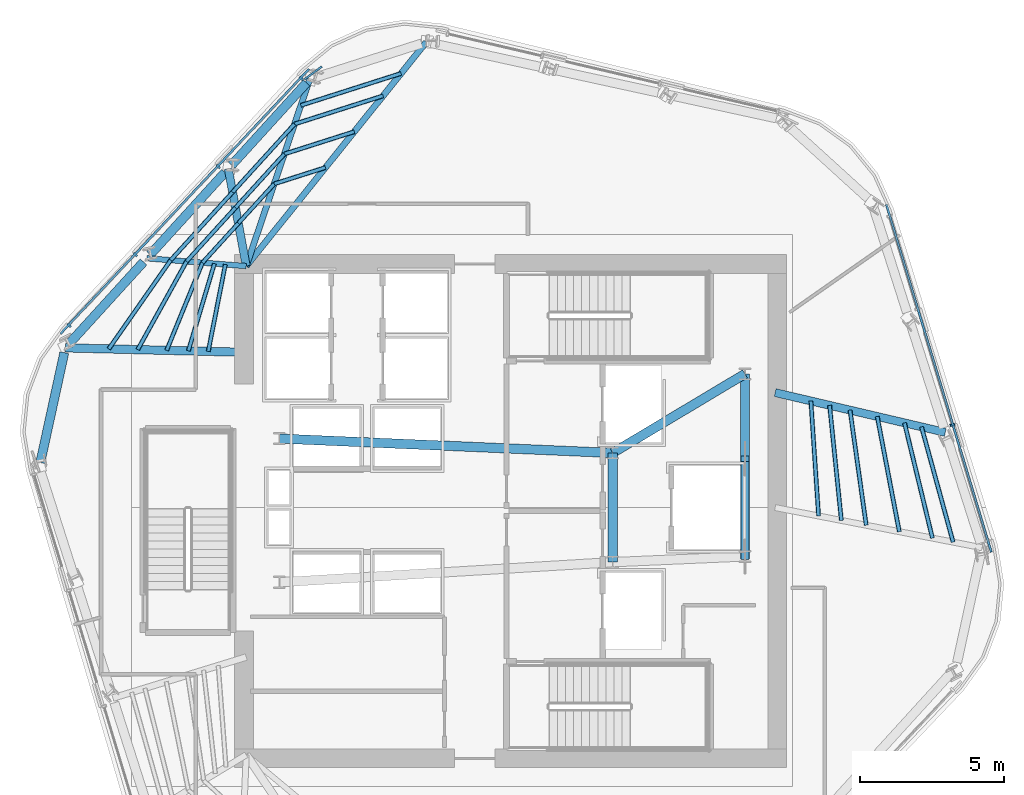
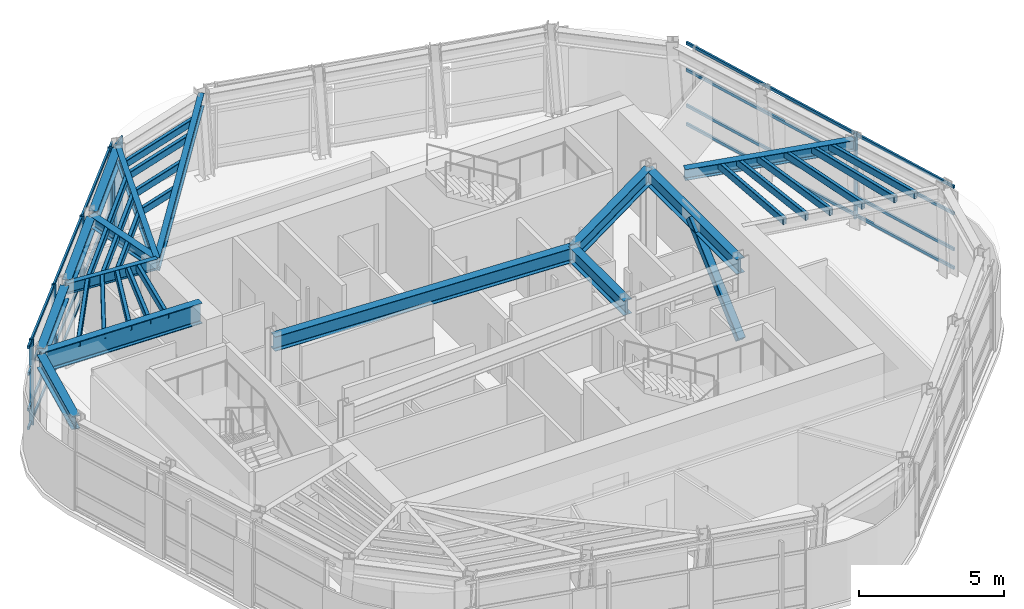
# One storey, part 4 of 13: 36 members, 14 beams, 2 elements without a shape of their own.
"""IFC4 building model written with IfcOpenShell, lengths in metres."""

from ifc_helpers import new_model, si_unit, direction, frame, origin, origin_2d, place, context, subcontext, project, spatial, rectangle, hollow_rectangle, i_section, extrude, material, layer, layer_set, material_profile, profile_set, type_object, element, aggregate, save


model = new_model("IFC4")

# Units and contexts
model_context = context("Model", 3, precision=1e-05, world=origin(), true_north=direction((0.0, 1.0)))
body_context = subcontext(model_context, "Body", "Model", "MODEL_VIEW")
ifc_project = project(units=[si_unit("LENGTHUNIT", "METRE"), si_unit("AREAUNIT", "SQUARE_METRE"), si_unit("VOLUMEUNIT", "CUBIC_METRE"), si_unit("PLANEANGLEUNIT", "RADIAN"), si_unit("MASSUNIT", "GRAM", prefix="KILO")], contexts=[model_context])

# Site, building, storey
site_placement = place(None, origin())
site = spatial("IfcSite", under=ifc_project, at=site_placement, CompositionType="ELEMENT")
building_placement = place(site_placement, origin())
building = spatial("IfcBuilding", under=site, at=building_placement, Name="Valkerne Bourse Tower", CompositionType="ELEMENT")
storey_placement = place(building_placement, frame((0.0, 0.0, 224.60009765625)))
storey = spatial("IfcBuildingStorey", under=building, at=storey_placement, Name="L57", CompositionType="ELEMENT", Elevation=224.60009765625)

# Beams
ifc_material_1 = material(Name="Steel ASTM A992", Category="steel")
ifc_material_profile_1 = material_profile(ifc_material_1, i_section(OverallWidth=0.1904296875, OverallDepth=0.457275390625, WebThickness=0.009033203125, FlangeThickness=0.014404296875, FilletRadius=0.01513671875, at=origin_2d()), Name="W18X50")
ifc_profile_set_1 = profile_set([ifc_material_profile_1], Name="Steel ASTM A992")
beam_type_1 = type_object("IfcBeamType", Name="BM-W18X50", PredefinedType="JOIST", material=ifc_profile_set_1)
beam_1_placement = place(storey_placement, frame((34.14111328125, 35.67138671875, 3.371337890625), z_axis=(0.996934074267, -0.078246096173, 0.0), x_axis=(0.078246096173, 0.996934074267, 0.0)))
element("IfcBeam", 1, at=beam_1_placement, inside=storey, type_object=beam_type_1, Name="L57 Radial Composite Floor Beam 06", PredefinedType="JOIST", context=body_context, shape_type="SweptSolid", body=[
    extrude(i_section(OverallWidth=0.1904296875, OverallDepth=0.457275390625, WebThickness=0.009033203125, FlangeThickness=0.014404296875, FilletRadius=0.01513671875, at=origin_2d()), origin(), (0.0, 0.0, 1.0), 3.4697265625),
])
ifc_material_profile_2 = material_profile(ifc_material_1, i_section(OverallWidth=0.279296875, OverallDepth=0.46240234375, WebThickness=0.0107421875, FlangeThickness=0.017333984375, FilletRadius=0.017822265625, at=origin_2d()), Name="W18X76")
ifc_profile_set_2 = profile_set([ifc_material_profile_2], Name="Steel ASTM A992")
beam_type_2 = type_object("IfcBeamType", Name="BM-W18X76", PredefinedType="BEAM", material=ifc_profile_set_2)
beam_2_placement = place(storey_placement, frame((36.975830078125, 38.78662109375, 3.36865234375), z_axis=(0.181274300198, -0.983432574246, 0.0), x_axis=(0.983432574246, 0.181274300198, 0.0)))
element("IfcBeam", 2, at=beam_2_placement, inside=storey, type_object=beam_type_2, Name="L57 Radial Composite Floor Beam 05", PredefinedType="BEAM", context=body_context, shape_type="SweptSolid", body=[
    extrude(i_section(OverallWidth=0.279296875, OverallDepth=0.46240234375, WebThickness=0.0107421875, FlangeThickness=0.017333984375, FilletRadius=0.017822265625, at=origin_2d()), origin(), (0.0, 0.0, 1.0), 3.44384765625),
])
beam_3_placement = place(storey_placement, frame((61.919677734375, 29.614501953125, 3.36865234375), z_axis=(-0.973686662116, 0.227890947643, 0.0), x_axis=(-0.227890947643, -0.973686662116, 0.0)))
element("IfcBeam", 3, at=beam_3_placement, inside=storey, type_object=beam_type_2, Name="L57 Radial Composite Floor Beam 21", PredefinedType="BEAM", context=body_context, shape_type="SweptSolid", body=[
    extrude(i_section(OverallWidth=0.279296875, OverallDepth=0.46240234375, WebThickness=0.0107421875, FlangeThickness=0.017333984375, FilletRadius=0.017822265625, at=origin_2d()), origin(), (0.0, 0.0, 1.0), 6.07958984375),
])
ifc_material_profile_3 = material_profile(ifc_material_1, i_section(OverallWidth=0.31494140625, OverallDepth=0.5537109375, WebThickness=0.0166015625, FlangeThickness=0.026123046875, FilletRadius=0.020263671875, at=origin_2d()), Name="W21X132")
ifc_profile_set_3 = profile_set([ifc_material_profile_3], Name="Steel ASTM A992")
beam_type_3 = type_object("IfcBeamType", Name="BM-W21X132", PredefinedType="BEAM", material=ifc_profile_set_3)
for number, where, z_axis, x_axis, name in (
    (4, (39.6962890625, 41.776123046875, 3.322998046875), (-0.673030492682, -0.739614734791, 0.0), (0.739614734791, -0.673030492682, 0.0), "L57 Hexagonal Spandrel Ring Beam 04"),
    (5, (36.861572265625, 38.660888671875, 3.322998046875), (-0.673030492682, -0.739614734791, 0.0), (0.739614734791, -0.673030492682, 0.0), "L57 Hexagonal Spandrel Ring Beam 05"),
    (6, (34.02685546875, 35.545654296875, 3.322998046875), (-0.672999106682, -0.739643294031, 0.0), (0.739643294031, -0.672999106682, 0.0), "L57 Hexagonal Spandrel Ring Beam 06"),
):
    element("IfcBeam", number, at=place(storey_placement, frame(where, z_axis=z_axis, x_axis=x_axis)), inside=storey, type_object=beam_type_3, Name=name, PredefinedType="BEAM", context=body_context, shape_type="SweptSolid", body=[
        extrude(i_section(OverallWidth=0.31494140625, OverallDepth=0.5537109375, WebThickness=0.0166015625, FlangeThickness=0.026123046875, FilletRadius=0.020263671875, at=origin_2d()), origin(), (0.0, 0.0, 1.0), 3.8720703125),
    ])
beam_4_placement = place(storey_placement, frame((31.270263671875, 32.389892578125, 3.322998046875), z_axis=(-0.213053448921, -0.97704054568, 0.0), x_axis=(0.97704054568, -0.213053448921, 0.0)))
element("IfcBeam", 7, at=beam_4_placement, inside=storey, type_object=beam_type_3, Name="L57 Hexagonal Spandrel Ring Beam 07", PredefinedType="BEAM", context=body_context, shape_type="SweptSolid", body=[
    extrude(i_section(OverallWidth=0.31494140625, OverallDepth=0.5537109375, WebThickness=0.0166015625, FlangeThickness=0.026123046875, FilletRadius=0.020263671875, at=origin_2d()), origin(), (0.0, 0.0, 1.0), 3.91552734375),
])
ifc_material_profile_4 = material_profile(ifc_material_1, i_section(OverallWidth=0.209228515625, OverallDepth=0.533447265625, WebThickness=0.01025390625, FlangeThickness=0.015625, FilletRadius=0.017822265625, at=origin_2d()), Name="W21X62")
ifc_profile_set_4 = profile_set([ifc_material_profile_4], Name="Steel ASTM A992")
beam_type_4 = type_object("IfcBeamType", Name="BM-W21X62", PredefinedType="JOIST", material=ifc_profile_set_4)
beam_5_placement = place(storey_placement, frame((39.810546875, 41.90185546875, 3.333251953125), z_axis=(-0.321874690354, -0.946782278937, 0.0), x_axis=(0.946782278937, -0.321874690354, 0.0)))
element("IfcBeam", 8, at=beam_5_placement, inside=storey, type_object=beam_type_4, Name="L57 Radial Composite Floor Beam 04", PredefinedType="JOIST", context=body_context, shape_type="SweptSolid", body=[
    extrude(i_section(OverallWidth=0.209228515625, OverallDepth=0.533447265625, WebThickness=0.01025390625, FlangeThickness=0.015625, FilletRadius=0.017822265625, at=origin_2d()), origin(), (0.0, 0.0, 1.0), 6.867431640625),
])
ifc_material_profile_5 = material_profile(ifc_material_1, i_section(OverallWidth=0.2138671875, OverallDepth=0.548583984375, WebThickness=0.0146484375, FlangeThickness=0.023681640625, FilletRadius=0.017822265625, at=origin_2d()), Name="W21X93")
ifc_profile_set_5 = profile_set([ifc_material_profile_5], Name="Steel ASTM A992")
beam_type_5 = type_object("IfcBeamType", Name="BM-W21X93", PredefinedType="BEAM", material=ifc_profile_set_5)
beam_6_placement = place(storey_placement, frame((43.86474609375, 43.19580078125, 3.32568359375), z_axis=(-0.626396405872, -0.779504677799, 0.0), x_axis=(0.779504677799, -0.626396405872, 0.0)))
element("IfcBeam", 9, at=beam_6_placement, inside=storey, type_object=beam_type_5, Name="L57 Radial Composite Floor Beam 03", PredefinedType="BEAM", context=body_context, shape_type="SweptSolid", body=[
    extrude(i_section(OverallWidth=0.2138671875, OverallDepth=0.548583984375, WebThickness=0.0146484375, FlangeThickness=0.023681640625, FilletRadius=0.017822265625, at=origin_2d()), origin(), (0.0, 0.0, 1.0), 10.0009765625),
])
ifc_material_profile_6 = material_profile(ifc_material_1, i_section(OverallWidth=0.3251953125, OverallDepth=0.612060546875, WebThickness=0.0126953125, FlangeThickness=0.01904296875, FilletRadius=0.020263671875, at=origin_2d()), Name="W24X104")
ifc_profile_set_6 = profile_set([ifc_material_profile_6], Name="Steel ASTM A992")
beam_type_6 = type_object("IfcBeamType", Name="BM-W24X104", PredefinedType="BEAM", material=ifc_profile_set_6)
beam_7_placement = place(storey_placement, frame((50.35009765625, 25.10009765625, 3.293701171875), z_axis=(0.0, 1.0, 0.0), x_axis=(-1.0, 0.0, 0.0)))
element("IfcBeam", 10, at=beam_7_placement, inside=storey, type_object=beam_type_6, Name="L57 Core Frame Girder CG-CE", PredefinedType="BEAM", context=body_context, shape_type="SweptSolid", body=[
    extrude(i_section(OverallWidth=0.3251953125, OverallDepth=0.612060546875, WebThickness=0.0126953125, FlangeThickness=0.01904296875, FilletRadius=0.020263671875, at=origin_2d()), origin(), (0.0, 0.0, 1.0), 3.7998046875),
])
beam_8_placement = place(storey_placement, frame((50.35009765625, 28.89990234375, 3.293701171875), z_axis=(0.858307823492, 0.513135148019, 0.0), x_axis=(-0.513135148019, 0.858307823492, 0.0)))
element("IfcBeam", 11, at=beam_8_placement, inside=storey, type_object=beam_type_6, Name="L57 Core Frame Girder CG-NE", PredefinedType="BEAM", context=body_context, shape_type="SweptSolid", body=[
    extrude(i_section(OverallWidth=0.3251953125, OverallDepth=0.612060546875, WebThickness=0.0126953125, FlangeThickness=0.01904296875, FilletRadius=0.020263671875, at=origin_2d()), origin(), (0.0, 0.0, 1.0), 5.359130859375),
])
beam_9_placement = place(storey_placement, frame((54.949951171875, 25.300048828125, 3.293701171875), z_axis=(0.0, 1.0, 0.0), x_axis=(-1.0, 0.0, 0.0)))
element("IfcBeam", 12, at=beam_9_placement, inside=storey, type_object=beam_type_6, Name="L57 Core Frame Girder CG-EE", PredefinedType="BEAM", context=body_context, shape_type="SweptSolid", body=[
    extrude(i_section(OverallWidth=0.3251953125, OverallDepth=0.612060546875, WebThickness=0.0126953125, FlangeThickness=0.01904296875, FilletRadius=0.020263671875, at=origin_2d()), origin(), (0.0, 0.0, 1.0), 6.349853515625),
])
beam_10_placement = place(storey_placement, frame((38.75, 29.39990234375, 3.293701171875), z_axis=(0.999072354402, -0.043063101019, 0.0), x_axis=(0.043063101019, 0.999072354402, 0.0)))
element("IfcBeam", 13, at=beam_10_placement, inside=storey, type_object=beam_type_6, Name="L57 Core Frame Girder CG-NW", PredefinedType="BEAM", context=body_context, shape_type="SweptSolid", body=[
    extrude(i_section(OverallWidth=0.3251953125, OverallDepth=0.612060546875, WebThickness=0.0126953125, FlangeThickness=0.01904296875, FilletRadius=0.020263671875, at=origin_2d()), origin(), (0.0, 0.0, 1.0), 11.61083984375),
])
ifc_material_profile_7 = material_profile(ifc_material_1, i_section(OverallWidth=0.2919921875, OverallDepth=0.8583984375, WebThickness=0.01708984375, FlangeThickness=0.031005859375, FilletRadius=0.025390625, at=origin_2d()), Name="W33X169")
ifc_profile_set_7 = profile_set([ifc_material_profile_7], Name="Steel ASTM A992")
beam_type_7 = type_object("IfcBeamType", Name="BM-W33X169", PredefinedType="BEAM", material=ifc_profile_set_7)
beam_11_placement = place(storey_placement, frame((31.306396484375, 32.555908203125, 3.170654296875), z_axis=(0.999692928498, -0.024780006257, 0.0), x_axis=(0.024780006257, 0.999692928498, 0.0)))
element("IfcBeam", 14, at=beam_11_placement, inside=storey, type_object=beam_type_7, Name="L57 Radial Composite Floor Beam 07", PredefinedType="BEAM", context=body_context, shape_type="SweptSolid", body=[
    extrude(i_section(OverallWidth=0.2919921875, OverallDepth=0.8583984375, WebThickness=0.01708984375, FlangeThickness=0.031005859375, FilletRadius=0.025390625, at=origin_2d()), origin(), (0.0, 0.0, 1.0), 6.295654296875),
])

# Curtain wall, members
ifc_material_2 = material(Name="Aluminium AA 6063-T6", Category="aluminium")
ifc_layer = layer(ifc_material_2, 0.239990234375)
ifc_layer_set = layer_set([ifc_layer], Name="Aluminium AA 6063-T6")
curtain_wall_type = type_object("IfcCurtainWallType", Name="CW-04", PredefinedType="NOTDEFINED", material=ifc_layer_set)
curtain_wall_1_placement = place(storey_placement, origin())
curtain_wall_1 = element("IfcCurtainWall", 15, at=curtain_wall_1_placement, inside=storey, type_object=curtain_wall_type, Name="L57 Hexagonal Stick Curtain Wall Face 2", PredefinedType="NOTDEFINED")
ifc_material_profile_8 = material_profile(ifc_material_2, rectangle(XDim=0.074951171875, YDim=0.159912109375, at=origin_2d()), Name="CWM-75X160")
ifc_profile_set_8 = profile_set([ifc_material_profile_8], Name="Aluminium AA 6063-T6")
member_type_1 = type_object("IfcMemberType", Name="CW-MUL-160X75", PredefinedType="MULLION", material=ifc_profile_set_8)
member_1_placement = place(storey_placement, frame((39.51025390625, 41.9365234375, 0.0), z_axis=(0.0, 0.0, 1.0), x_axis=(-0.684560035051, -0.728956485952, 0.0)))
member_1 = element("IfcMember", 16, at=member_1_placement, type_object=member_type_1, Name="CW-L57-F2 Jamb Mullion 00A", PredefinedType="MULLION", context=body_context, shape_type="SweptSolid", body=[
    extrude(rectangle(XDim=0.074951171875, YDim=0.159912109375, at=origin_2d()), origin(), (0.0, 0.0, 1.0), 3.599853515625),
])
member_2_placement = place(storey_placement, frame((36.626708984375, 38.8662109375, 0.0), z_axis=(0.0, 0.0, 1.0), x_axis=(-0.684535571717, -0.728979458595, 0.0)))
member_2 = element("IfcMember", 17, at=member_2_placement, type_object=member_type_1, Name="CW-L57-F2 Jamb Mullion 01A", PredefinedType="MULLION", context=body_context, shape_type="SweptSolid", body=[
    extrude(rectangle(XDim=0.074951171875, YDim=0.159912109375, at=origin_2d()), origin(), (0.0, 0.0, 1.0), 3.599853515625),
])
member_3_placement = place(storey_placement, frame((33.743408203125, 35.795654296875, 0.0), z_axis=(0.0, 0.0, 1.0), x_axis=(-0.684547419077, -0.728968333355, 0.0)))
member_3 = element("IfcMember", 18, at=member_3_placement, type_object=member_type_1, Name="CW-L57-F2 Jamb Mullion 02A", PredefinedType="MULLION", context=body_context, shape_type="SweptSolid", body=[
    extrude(rectangle(XDim=0.074951171875, YDim=0.159912109375, at=origin_2d()), origin(), (0.0, 0.0, 1.0), 3.599853515625),
])
member_4_placement = place(storey_placement, frame((31.435302734375, 33.33740234375, 0.0), z_axis=(0.0, 0.0, 1.0), x_axis=(-0.684547419077, -0.728968333355, 0.0)))
member_4 = element("IfcMember", 19, at=member_4_placement, type_object=member_type_1, Name="CW-L57-F2 Jamb Mullion 02B", PredefinedType="MULLION", context=body_context, shape_type="SweptSolid", body=[
    extrude(rectangle(XDim=0.074951171875, YDim=0.159912109375, at=origin_2d()), origin(), (0.0, 0.0, 1.0), 3.599853515625),
])

# Curtain wall, member
curtain_wall_2_placement = place(storey_placement, origin())
curtain_wall_2 = element("IfcCurtainWall", 20, at=curtain_wall_2_placement, inside=storey, type_object=curtain_wall_type, Name="L57 Hexagonal Stick Curtain Wall Face 6", PredefinedType="NOTDEFINED")
member_5_placement = place(storey_placement, frame((62.162841796875, 29.877197265625, 0.0), z_axis=(0.0, 0.0, 1.0), x_axis=(-0.289033329904, 0.957319034703, 0.0)))
member_5 = element("IfcMember", 21, at=member_5_placement, type_object=member_type_1, Name="CW-L57-F6 Jamb Mullion 01A", PredefinedType="MULLION", context=body_context, shape_type="SweptSolid", body=[
    extrude(rectangle(XDim=0.074951171875, YDim=0.159912109375, at=origin_2d()), origin(), (0.0, 0.0, 1.0), 3.599853515625),
])

# Member
ifc_material_profile_9 = material_profile(ifc_material_2, rectangle(XDim=0.074951171875, YDim=0.1201171875, at=origin_2d()), Name="CWT-75X120")
ifc_profile_set_9 = profile_set([ifc_material_profile_9], Name="Aluminium AA 6063-T6")
member_type_2 = type_object("IfcMemberType", Name="CW-TRN-120X75", PredefinedType="USERDEFINED", material=ifc_profile_set_9)
member_6_placement = place(storey_placement, frame((39.783203125, 42.25634765625, 0.119873046875), z_axis=(-0.684538601251, -0.728976613752, 0.0), x_axis=(0.728976613752, -0.684538601251, 0.0)))
member_6 = element("IfcMember", 22, at=member_6_placement, type_object=member_type_2, Name="CW-L57-F2 Continuous Face Transom 1", ObjectType="TRANSOM", PredefinedType="USERDEFINED", context=body_context, shape_type="SweptSolid", body=[
    extrude(rectangle(XDim=0.074951171875, YDim=0.1201171875, at=origin_2d()), origin(), (0.0, 0.0, 1.0), 12.635986328125),
])

member_7_placement = place(storey_placement, frame((39.783203125, 42.25634765625, 0.89990234375), z_axis=(-0.684538601251, -0.728976613752, 0.0), x_axis=(0.728976613752, -0.684538601251, 0.0)))
member_7 = element("IfcMember", 23, at=member_7_placement, type_object=member_type_2, Name="CW-L57-F2 Continuous Face Transom 2", ObjectType="TRANSOM", PredefinedType="USERDEFINED", context=body_context, shape_type="SweptSolid", body=[
    extrude(rectangle(XDim=0.074951171875, YDim=0.1201171875, at=origin_2d()), origin(), (0.0, 0.0, 1.0), 12.635986328125),
])

member_8_placement = place(storey_placement, frame((39.783203125, 42.25634765625, 2.39990234375), z_axis=(-0.684538601251, -0.728976613752, 0.0), x_axis=(0.728976613752, -0.684538601251, 0.0)))
member_8 = element("IfcMember", 24, at=member_8_placement, type_object=member_type_2, Name="CW-L57-F2 Continuous Face Transom 3", ObjectType="TRANSOM", PredefinedType="USERDEFINED", context=body_context, shape_type="SweptSolid", body=[
    extrude(rectangle(XDim=0.074951171875, YDim=0.1201171875, at=origin_2d()), origin(), (0.0, 0.0, 1.0), 12.635986328125),
])

member_9_placement = place(storey_placement, frame((39.783203125, 42.25634765625, 3.52001953125), z_axis=(-0.684538601251, -0.728976613752, 0.0), x_axis=(0.728976613752, -0.684538601251, 0.0)))
member_9 = element("IfcMember", 25, at=member_9_placement, type_object=member_type_2, Name="CW-L57-F2 Continuous Face Transom 4", ObjectType="TRANSOM", PredefinedType="USERDEFINED", context=body_context, shape_type="SweptSolid", body=[
    extrude(rectangle(XDim=0.074951171875, YDim=0.1201171875, at=origin_2d()), origin(), (0.0, 0.0, 1.0), 12.635986328125),
])

aggregate(curtain_wall_1, [member_6, member_7, member_8, member_9, member_1, member_2, member_3, member_4])

member_10_placement = place(storey_placement, frame((63.520751953125, 25.44873046875, 0.119873046875), z_axis=(-0.289024303807, 0.957321759812, 0.0), x_axis=(-0.957321759812, -0.289024303807, 0.0)))
member_10 = element("IfcMember", 26, at=member_10_placement, type_object=member_type_2, Name="CW-L57-F6 Continuous Face Transom 1", ObjectType="TRANSOM", PredefinedType="USERDEFINED", context=body_context, shape_type="SweptSolid", body=[
    extrude(rectangle(XDim=0.074951171875, YDim=0.1201171875, at=origin_2d()), origin(), (0.0, 0.0, 1.0), 12.635986328125),
])

member_11_placement = place(storey_placement, frame((63.520751953125, 25.44873046875, 0.89990234375), z_axis=(-0.289024303807, 0.957321759812, 0.0), x_axis=(-0.957321759812, -0.289024303807, 0.0)))
member_11 = element("IfcMember", 27, at=member_11_placement, type_object=member_type_2, Name="CW-L57-F6 Continuous Face Transom 2", ObjectType="TRANSOM", PredefinedType="USERDEFINED", context=body_context, shape_type="SweptSolid", body=[
    extrude(rectangle(XDim=0.074951171875, YDim=0.1201171875, at=origin_2d()), origin(), (0.0, 0.0, 1.0), 12.635986328125),
])

member_12_placement = place(storey_placement, frame((63.520751953125, 25.44873046875, 2.39990234375), z_axis=(-0.289024303807, 0.957321759812, 0.0), x_axis=(-0.957321759812, -0.289024303807, 0.0)))
member_12 = element("IfcMember", 28, at=member_12_placement, type_object=member_type_2, Name="CW-L57-F6 Continuous Face Transom 3", ObjectType="TRANSOM", PredefinedType="USERDEFINED", context=body_context, shape_type="SweptSolid", body=[
    extrude(rectangle(XDim=0.074951171875, YDim=0.1201171875, at=origin_2d()), origin(), (0.0, 0.0, 1.0), 12.635986328125),
])

member_13_placement = place(storey_placement, frame((63.520751953125, 25.44873046875, 3.52001953125), z_axis=(-0.289024303807, 0.957321759812, 0.0), x_axis=(-0.957321759812, -0.289024303807, 0.0)))
member_13 = element("IfcMember", 29, at=member_13_placement, type_object=member_type_2, Name="CW-L57-F6 Continuous Face Transom 4", ObjectType="TRANSOM", PredefinedType="USERDEFINED", context=body_context, shape_type="SweptSolid", body=[
    extrude(rectangle(XDim=0.074951171875, YDim=0.1201171875, at=origin_2d()), origin(), (0.0, 0.0, 1.0), 12.635986328125),
])

aggregate(curtain_wall_2, [member_10, member_11, member_12, member_13, member_5])

# Members
ifc_material_3 = material(Name="Bronze Anodised Aluminium AA 6063-T6", Category="aluminium")
ifc_material_profile_10 = material_profile(ifc_material_3, rectangle(XDim=0.06494140625, YDim=0.75, at=origin_2d()), Name="FIN-65X750")
ifc_profile_set_10 = profile_set([ifc_material_profile_10], Name="Bronze Anodised Aluminium AA 6063-T6")
member_type_3 = type_object("IfcMemberType", Name="FIN-SOLAR-650", PredefinedType="USERDEFINED", material=ifc_profile_set_10)
member_14_placement = place(storey_placement, frame((39.928955078125, 42.119384765625, 0.00390625), z_axis=(0.0, 0.0, 1.0), x_axis=(-0.594036563651, 0.804438040526, 0.0)))
element("IfcMember", 30, at=member_14_placement, inside=storey, type_object=member_type_3, Name="L57 Bronze Anodised Solar Fin F2-00", ObjectType="SOLAR_FIN", PredefinedType="USERDEFINED", context=body_context, shape_type="SweptSolid", body=[
    extrude(rectangle(XDim=0.06494140625, YDim=0.75, at=origin_2d()), origin(), (0.0, 0.0, 1.0), 3.592041015625),
])
ifc_material_4 = material(Name="Steel ASTM A500 Grade C", Category="steel")
ifc_material_profile_11 = material_profile(ifc_material_4, hollow_rectangle(XDim=0.14990234375, YDim=0.300048828125, WallThickness=0.012451171875, OuterFilletRadius=0.02490234375, at=origin_2d()), Name="HSS300X150X12.5")
ifc_profile_set_11 = profile_set([ifc_material_profile_11], Name="Steel ASTM A500 Grade C")
member_type_4 = type_object("IfcMemberType", Name="MBR-HSS300X150X12.5", PredefinedType="PURLIN", material=ifc_profile_set_11)
member_15_placement = place(storey_placement, frame((36.4931640625, 35.48681640625, 3.43994140625), z_axis=(-0.286238198582, -0.958158490894, 0.0), x_axis=(0.958158490894, -0.286238198582, 0.0)))
element("IfcMember", 31, at=member_15_placement, inside=storey, type_object=member_type_4, Name="L57 Secondary Composite Floor Purlin I-06", PredefinedType="PURLIN", context=body_context, shape_type="SweptSolid", body=[
    extrude(hollow_rectangle(XDim=0.14990234375, YDim=0.300048828125, WallThickness=0.012451171875, OuterFilletRadius=0.02490234375, at=origin_2d()), origin(), (0.0, 0.0, 1.0), 3.16943359375),
])
member_16_placement = place(storey_placement, frame((58.303955078125, 26.552490234375, 3.43994140625), z_axis=(-0.101779532459, 0.994806979656, 0.0), x_axis=(-0.994806979656, -0.101779532459, 0.0)))
element("IfcMember", 32, at=member_16_placement, inside=storey, type_object=member_type_4, Name="L57 Secondary Composite Floor Purlin I-20", PredefinedType="PURLIN", context=body_context, shape_type="SweptSolid", body=[
    extrude(hollow_rectangle(XDim=0.14990234375, YDim=0.300048828125, WallThickness=0.012451171875, OuterFilletRadius=0.02490234375, at=origin_2d()), origin(), (0.0, 0.0, 1.0), 4.025146484375),
])
member_17_placement = place(storey_placement, frame((40.3564453125, 38.830078125, 3.43994140625), z_axis=(-0.952647960593, -0.304075423502, 0.0), x_axis=(0.304075423502, -0.952647960593, 0.0)))
element("IfcMember", 33, at=member_17_placement, inside=storey, type_object=member_type_4, Name="L57 Secondary Composite Floor Purlin K-03", PredefinedType="PURLIN", context=body_context, shape_type="SweptSolid", body=[
    extrude(hollow_rectangle(XDim=0.14990234375, YDim=0.300048828125, WallThickness=0.012451171875, OuterFilletRadius=0.02490234375, at=origin_2d()), origin(), (0.0, 0.0, 1.0), 1.872314453125),
])
for number, where, z_axis, x_axis, name in (
    (34, (38.57275390625, 38.2607421875, 3.43994140625), (-0.673059576484, -0.739588268229, 0.0), (0.739588268229, -0.673059576484, 0.0), "L57 Secondary Composite Floor Purlin K-04"),
    (35, (37.325439453125, 36.89013671875, 3.43994140625), (-0.672994001781, -0.739647938932, 0.0), (0.739647938932, -0.672994001781, 0.0), "L57 Secondary Composite Floor Purlin K-05"),
):
    element("IfcMember", number, at=place(storey_placement, frame(where, z_axis=z_axis, x_axis=x_axis)), inside=storey, type_object=member_type_4, Name=name, PredefinedType="PURLIN", context=body_context, shape_type="SweptSolid", body=[
        extrude(hollow_rectangle(XDim=0.14990234375, YDim=0.300048828125, WallThickness=0.012451171875, OuterFilletRadius=0.02490234375, at=origin_2d()), origin(), (0.0, 0.0, 1.0), 1.853271484375),
    ])
member_18_placement = place(storey_placement, frame((36.078125, 35.519287109375, 3.43994140625), z_axis=(-0.378442474887, -0.92562481233, 0.0), x_axis=(0.92562481233, -0.378442474887, 0.0)))
element("IfcMember", 36, at=member_18_placement, inside=storey, type_object=member_type_4, Name="L57 Secondary Composite Floor Purlin K-06", PredefinedType="PURLIN", context=body_context, shape_type="SweptSolid", body=[
    extrude(hollow_rectangle(XDim=0.14990234375, YDim=0.300048828125, WallThickness=0.012451171875, OuterFilletRadius=0.02490234375, at=origin_2d()), origin(), (0.0, 0.0, 1.0), 3.2958984375),
])
member_19_placement = place(storey_placement, frame((59.16796875, 26.385009765625, 3.43994140625), z_axis=(-0.139308470756, 0.990249034322, 0.0), x_axis=(-0.990249034322, -0.139308470756, 0.0)))
element("IfcMember", 37, at=member_19_placement, inside=storey, type_object=member_type_4, Name="L57 Secondary Composite Floor Purlin K-20", PredefinedType="PURLIN", context=body_context, shape_type="SweptSolid", body=[
    extrude(hollow_rectangle(XDim=0.14990234375, YDim=0.300048828125, WallThickness=0.012451171875, OuterFilletRadius=0.02490234375, at=origin_2d()), origin(), (0.0, 0.0, 1.0), 4.044921875),
])
member_20_placement = place(storey_placement, frame((42.361083984375, 41.32470703125, 3.43994140625), z_axis=(-0.952651767634, -0.30406349604, 0.0), x_axis=(0.30406349604, -0.952651767634, 0.0)))
element("IfcMember", 38, at=member_20_placement, inside=storey, type_object=member_type_4, Name="L57 Secondary Composite Floor Purlin O-03", PredefinedType="PURLIN", context=body_context, shape_type="SweptSolid", body=[
    extrude(hollow_rectangle(XDim=0.14990234375, YDim=0.300048828125, WallThickness=0.012451171875, OuterFilletRadius=0.02490234375, at=origin_2d()), origin(), (0.0, 0.0, 1.0), 3.234130859375),
])
member_21_placement = place(storey_placement, frame((39.280029296875, 40.34130859375, 3.43994140625), z_axis=(-0.67302957498, -0.739615569875, 0.0), x_axis=(0.739615569875, -0.67302957498, 0.0)))
element("IfcMember", 39, at=member_21_placement, inside=storey, type_object=member_type_4, Name="L57 Secondary Composite Floor Purlin O-04", PredefinedType="PURLIN", context=body_context, shape_type="SweptSolid", body=[
    extrude(hollow_rectangle(XDim=0.14990234375, YDim=0.300048828125, WallThickness=0.012451171875, OuterFilletRadius=0.02490234375, at=origin_2d()), origin(), (0.0, 0.0, 1.0), 3.200927734375),
])
member_22_placement = place(storey_placement, frame((37.125732421875, 37.973876953125, 3.43994140625), z_axis=(-0.673033330843, -0.739612152127, 0.0), x_axis=(0.739612152127, -0.673033330843, 0.0)))
element("IfcMember", 40, at=member_22_placement, inside=storey, type_object=member_type_4, Name="L57 Secondary Composite Floor Purlin O-05", PredefinedType="PURLIN", context=body_context, shape_type="SweptSolid", body=[
    extrude(hollow_rectangle(XDim=0.14990234375, YDim=0.300048828125, WallThickness=0.012451171875, OuterFilletRadius=0.02490234375, at=origin_2d()), origin(), (0.0, 0.0, 1.0), 3.201171875),
])
member_23_placement = place(storey_placement, frame((34.97119140625, 35.606201171875, 3.43994140625), z_axis=(-0.57220391106, -0.82011138522, 0.0), x_axis=(0.82011138522, -0.57220391106, 0.0)))
element("IfcMember", 41, at=member_23_placement, inside=storey, type_object=member_type_4, Name="L57 Secondary Composite Floor Purlin O-06", PredefinedType="PURLIN", context=body_context, shape_type="SweptSolid", body=[
    extrude(hollow_rectangle(XDim=0.14990234375, YDim=0.300048828125, WallThickness=0.012451171875, OuterFilletRadius=0.02490234375, at=origin_2d()), origin(), (0.0, 0.0, 1.0), 3.764892578125),
])
member_24_placement = place(storey_placement, frame((61.47216796875, 25.9375, 3.43994140625), z_axis=(-0.235916706284, 0.971773279987, 0.0), x_axis=(-0.971773279987, -0.235916706284, 0.0)))
element("IfcMember", 42, at=member_24_placement, inside=storey, type_object=member_type_4, Name="L57 Secondary Composite Floor Purlin O-20", PredefinedType="PURLIN", context=body_context, shape_type="SweptSolid", body=[
    extrude(hollow_rectangle(XDim=0.14990234375, YDim=0.300048828125, WallThickness=0.012451171875, OuterFilletRadius=0.02490234375, at=origin_2d()), origin(), (0.0, 0.0, 1.0), 4.1259765625),
])
member_25_placement = place(storey_placement, frame((41.35888671875, 40.077392578125, 3.43994140625), z_axis=(-0.952650371771, -0.30406786934, 0.0), x_axis=(0.30406786934, -0.952650371771, 0.0)))
element("IfcMember", 43, at=member_25_placement, inside=storey, type_object=member_type_4, Name="L57 Secondary Composite Floor Purlin Z-03", PredefinedType="PURLIN", context=body_context, shape_type="SweptSolid", body=[
    extrude(hollow_rectangle(XDim=0.14990234375, YDim=0.300048828125, WallThickness=0.012451171875, OuterFilletRadius=0.02490234375, at=origin_2d()), origin(), (0.0, 0.0, 1.0), 2.55322265625),
])
for number, where, z_axis, x_axis, name in (
    (44, (38.926513671875, 39.301025390625, 3.43994140625), (-0.673042953855, -0.739603395251, 0.0), (0.739603395251, -0.673042953855, 0.0), "L57 Secondary Composite Floor Purlin Z-04"),
    (45, (37.2255859375, 37.431884765625, 3.43994140625), (-0.673042953855, -0.739603395251, 0.0), (0.739603395251, -0.673042953855, 0.0), "L57 Secondary Composite Floor Purlin Z-05"),
):
    element("IfcMember", number, at=place(storey_placement, frame(where, z_axis=z_axis, x_axis=x_axis)), inside=storey, type_object=member_type_4, Name=name, PredefinedType="PURLIN", context=body_context, shape_type="SweptSolid", body=[
        extrude(hollow_rectangle(XDim=0.14990234375, YDim=0.300048828125, WallThickness=0.012451171875, OuterFilletRadius=0.02490234375, at=origin_2d()), origin(), (0.0, 0.0, 1.0), 2.527099609375),
    ])
member_26_placement = place(storey_placement, frame((35.524658203125, 35.562744140625, 3.43994140625), z_axis=(-0.484744734543, -0.874655670726, 0.0), x_axis=(0.874655670726, -0.484744734543, 0.0)))
element("IfcMember", 46, at=member_26_placement, inside=storey, type_object=member_type_4, Name="L57 Secondary Composite Floor Purlin Z-06", PredefinedType="PURLIN", context=body_context, shape_type="SweptSolid", body=[
    extrude(hollow_rectangle(XDim=0.14990234375, YDim=0.300048828125, WallThickness=0.012451171875, OuterFilletRadius=0.02490234375, at=origin_2d()), origin(), (0.0, 0.0, 1.0), 3.509033203125),
])
member_27_placement = place(storey_placement, frame((60.320068359375, 26.1611328125, 3.43994140625), z_axis=(-0.188285931025, 0.982114254137, 0.0), x_axis=(-0.982114254137, -0.188285931025, 0.0)))
element("IfcMember", 47, at=member_27_placement, inside=storey, type_object=member_type_4, Name="L57 Secondary Composite Floor Purlin Z-20", PredefinedType="PURLIN", context=body_context, shape_type="SweptSolid", body=[
    extrude(hollow_rectangle(XDim=0.14990234375, YDim=0.300048828125, WallThickness=0.012451171875, OuterFilletRadius=0.02490234375, at=origin_2d()), origin(), (0.0, 0.0, 1.0), 4.08056640625),
])
member_28_placement = place(storey_placement, frame((36.873779296875, 35.45703125, 3.43994140625), z_axis=(-0.193190624757, -0.981161241849, 0.0), x_axis=(0.981161241849, -0.193190624757, 0.0)))
element("IfcMember", 48, at=member_28_placement, inside=storey, type_object=member_type_4, Name="L57 Secondary Composite Floor Purlin S-06", PredefinedType="PURLIN", context=body_context, shape_type="SweptSolid", body=[
    extrude(hollow_rectangle(XDim=0.14990234375, YDim=0.300048828125, WallThickness=0.012451171875, OuterFilletRadius=0.02490234375, at=origin_2d()), origin(), (0.0, 0.0, 1.0), 3.082275390625),
])
member_29_placement = place(storey_placement, frame((57.511962890625, 26.706298828125, 3.43994140625), z_axis=(-0.067003705519, 0.997752726604, 0.0), x_axis=(-0.997752726604, -0.067003705519, 0.0)))
element("IfcMember", 49, at=member_29_placement, inside=storey, type_object=member_type_4, Name="L57 Secondary Composite Floor Purlin S-20", PredefinedType="PURLIN", context=body_context, shape_type="SweptSolid", body=[
    extrude(hollow_rectangle(XDim=0.14990234375, YDim=0.300048828125, WallThickness=0.012451171875, OuterFilletRadius=0.02490234375, at=origin_2d()), origin(), (0.0, 0.0, 1.0), 4.01171875),
])
member_30_placement = place(storey_placement, frame((42.98779296875, 42.1044921875, 3.43994140625), z_axis=(-0.952654689012, -0.304054343009, 0.0), x_axis=(0.304054343009, -0.952654689012, 0.0)))
element("IfcMember", 50, at=member_30_placement, inside=storey, type_object=member_type_4, Name="L57 Secondary Composite Floor Purlin T-03", PredefinedType="PURLIN", context=body_context, shape_type="SweptSolid", body=[
    extrude(hollow_rectangle(XDim=0.14990234375, YDim=0.300048828125, WallThickness=0.012451171875, OuterFilletRadius=0.02490234375, at=origin_2d()), origin(), (0.0, 0.0, 1.0), 3.659912109375),
])
member_31_placement = place(storey_placement, frame((62.192138671875, 25.797607421875, 3.43994140625), z_axis=(-0.264775844768, 0.964309987518, 0.0), x_axis=(-0.964309987518, -0.264775844768, 0.0)))
element("IfcMember", 51, at=member_31_placement, inside=storey, type_object=member_type_4, Name="L57 Secondary Composite Floor Purlin T-20", PredefinedType="PURLIN", context=body_context, shape_type="SweptSolid", body=[
    extrude(hollow_rectangle(XDim=0.14990234375, YDim=0.300048828125, WallThickness=0.012451171875, OuterFilletRadius=0.02490234375, at=origin_2d()), origin(), (0.0, 0.0, 1.0), 4.159423828125),
])
ifc_material_profile_12 = material_profile(ifc_material_4, hollow_rectangle(XDim=0.300048828125, YDim=0.300048828125, WallThickness=0.012451171875, OuterFilletRadius=0.02490234375, at=origin_2d()), Name="HSS300X300X12.5")
ifc_profile_set_12 = profile_set([ifc_material_profile_12], Name="Steel ASTM A500 Grade C")
member_type_5 = type_object("IfcMemberType", Name="MBR-HSS300X300X12.5", PredefinedType="STRUT", material=ifc_profile_set_12)
member_32_placement = place(storey_placement, frame((54.949951171875, 25.300048828125, 0.219970703125), z_axis=(0.0, 0.741793158493, 0.670628742311), x_axis=(-1.0, 0.0, 0.0)))
element("IfcMember", 52, at=member_32_placement, inside=storey, type_object=member_type_5, Name="L57 Core Service Pier Lateral Brace", PredefinedType="STRUT", context=body_context, shape_type="SweptSolid", body=[
    extrude(hollow_rectangle(XDim=0.300048828125, YDim=0.300048828125, WallThickness=0.012451171875, OuterFilletRadius=0.02490234375, at=origin_2d()), origin(), (0.0, 0.0, 1.0), 4.583251953125),
])

save(model, "model.ifc")
